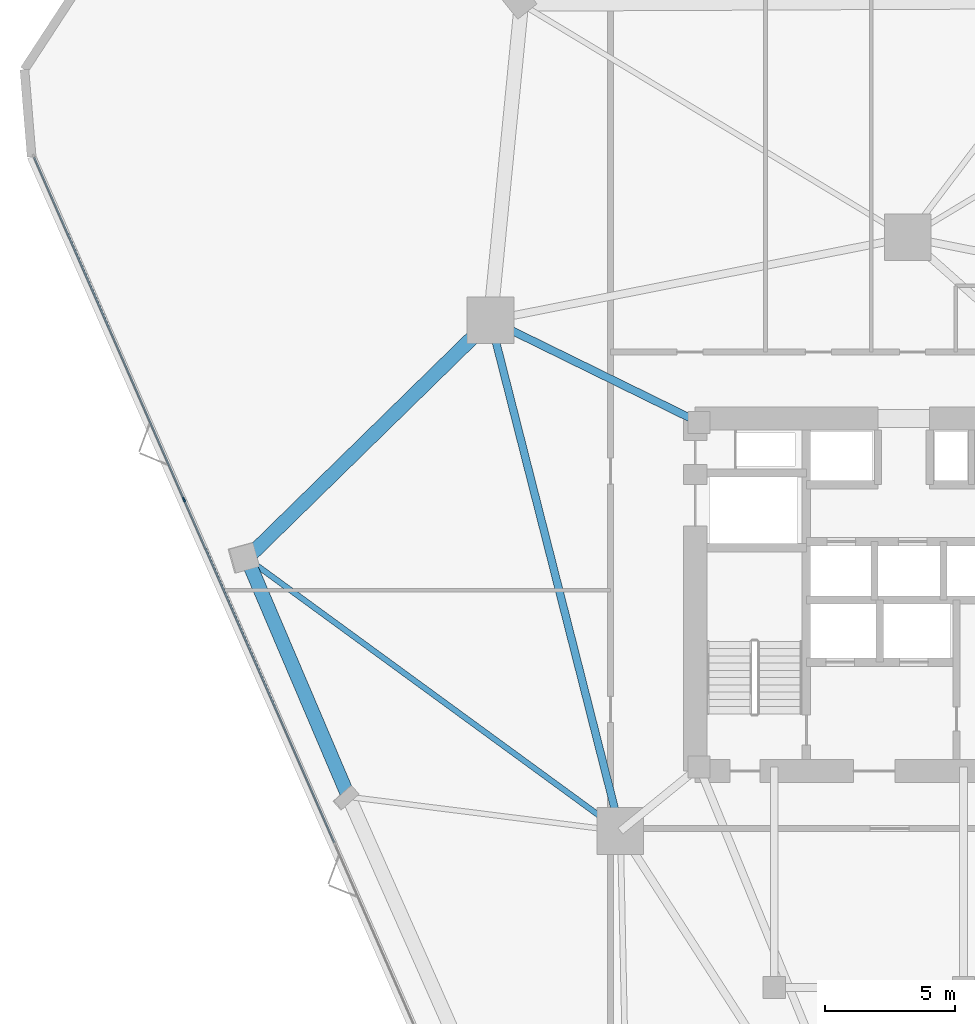
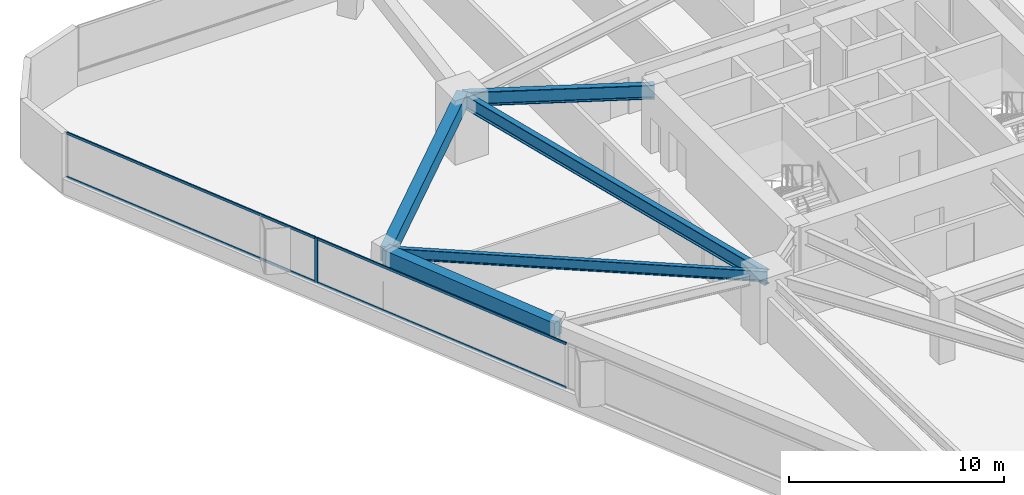
# One storey, part 7 of 20: 5 beams, 5 members, 1 element without a shape of its own.
"""IFC4 building model written with IfcOpenShell, lengths in metres."""

from ifc_helpers import new_model, si_unit, direction, frame, origin, origin_2d, place, context, subcontext, project, spatial, rectangle, i_section, extrude, material, layer, layer_set, material_profile, profile_set, type_object, element, aggregate, save


model = new_model("IFC4")

# Units and contexts
model_context = context("Model", 3, precision=1e-05, world=origin(), true_north=direction((0.0, 1.0)))
body_context = subcontext(model_context, "Body", "Model", "MODEL_VIEW")
ifc_project = project(units=[si_unit("LENGTHUNIT", "METRE"), si_unit("AREAUNIT", "SQUARE_METRE"), si_unit("VOLUMEUNIT", "CUBIC_METRE"), si_unit("PLANEANGLEUNIT", "RADIAN"), si_unit("MASSUNIT", "GRAM", prefix="KILO")], contexts=[model_context])

# Site, building, storey
site_placement = place(None, origin())
site = spatial("IfcSite", under=ifc_project, at=site_placement, CompositionType="ELEMENT")
building_placement = place(site_placement, origin())
building = spatial("IfcBuilding", under=site, at=building_placement, Name="Talyreon Biosciences Tower", CompositionType="ELEMENT")
storey_placement = place(building_placement, frame((0.0, 0.0, 41.050048828125)))
storey = spatial("IfcBuildingStorey", under=building, at=storey_placement, Name="L10", CompositionType="ELEMENT", Elevation=41.050048828125)

# Curtain wall, members
ifc_material_1 = material(Name="Thermally broken aluminium and low-E glazing", Category="aluminium")
ifc_layer = layer(ifc_material_1, 0.195068359375)
ifc_layer_set = layer_set([ifc_layer], Name="Thermally broken aluminium and low-E glazing")
curtain_wall_type = type_object("IfcCurtainWallType", Name="CurtainWall_Zone1WetLab", PredefinedType="NOTDEFINED", material=ifc_layer_set)
curtain_wall_placement = place(storey_placement, origin())
curtain_wall = element("IfcCurtainWall", 1, at=curtain_wall_placement, inside=storey, type_object=curtain_wall_type, Name="L10 Unitised Curtain Wall FCW-L10-00", PredefinedType="NOTDEFINED")
ifc_material_2 = material(Name="Anodised thermally broken aluminium", Category="aluminium")
ifc_material_profile_1 = material_profile(ifc_material_2, rectangle(XDim=0.06494140625, YDim=0.179931640625, at=origin_2d()), Name="ALUM MULLION 65x180")
ifc_profile_set_1 = profile_set([ifc_material_profile_1], Name="Anodised thermally broken aluminium")
member_type_1 = type_object("IfcMemberType", Name="CWMullion_65x180", PredefinedType="MULLION", material=ifc_profile_set_1)
member_1_placement = place(storey_placement, frame((38.0732421875, 71.6708984375, 0.81005859375), z_axis=(0.0, 0.0, 1.0), x_axis=(-0.915980408101, -0.401222995321, 0.0)))
member_1 = element("IfcMember", 2, at=member_1_placement, type_object=member_type_1, Name="CW2 mullion 5", PredefinedType="MULLION", context=body_context, shape_type="SweptSolid", body=[
    extrude(rectangle(XDim=0.06494140625, YDim=0.179931640625, at=origin_2d()), origin(), (0.0, 0.0, 1.0), 2.56494140625),
])
ifc_material_profile_2 = material_profile(ifc_material_2, rectangle(XDim=0.06494140625, YDim=0.139892578125, at=origin_2d()), Name="ALUM TRANSOM 65x140")
ifc_profile_set_2 = profile_set([ifc_material_profile_2], Name="Anodised thermally broken aluminium")
member_type_2 = type_object("IfcMemberType", Name="CWTransom_65x140", PredefinedType="USERDEFINED", material=ifc_profile_set_2)
member_2_placement = place(storey_placement, frame((43.869384765625, 58.4384765625, 0.842529296875), z_axis=(-0.401215094817, 0.915983868685, 0.0), x_axis=(-0.915983868685, -0.401215094817, 0.0)))
member_2 = element("IfcMember", 3, at=member_2_placement, type_object=member_type_2, Name="CW2 transom 4.1", ObjectType="TRANSOM", PredefinedType="USERDEFINED", context=body_context, shape_type="SweptSolid", body=[
    extrude(rectangle(XDim=0.06494140625, YDim=0.139892578125, at=origin_2d()), origin(), (0.0, 0.0, 1.0), 14.41357421875),
])
member_3_placement = place(storey_placement, frame((43.869384765625, 58.4384765625, 3.342529296875), z_axis=(-0.401215094817, 0.915983868685, 0.0), x_axis=(-0.915983868685, -0.401215094817, 0.0)))
member_3 = element("IfcMember", 4, at=member_3_placement, type_object=member_type_2, Name="CW2 transom 4.2", ObjectType="TRANSOM", PredefinedType="USERDEFINED", context=body_context, shape_type="SweptSolid", body=[
    extrude(rectangle(XDim=0.06494140625, YDim=0.139892578125, at=origin_2d()), origin(), (0.0, 0.0, 1.0), 14.41357421875),
])
member_4_placement = place(storey_placement, frame((38.060302734375, 71.70068359375, 0.842529296875), z_axis=(-0.401215092974, 0.915983869492, 0.0), x_axis=(-0.915983869492, -0.401215092974, 0.0)))
member_4 = element("IfcMember", 5, at=member_4_placement, type_object=member_type_2, Name="CW2 transom 5.1", ObjectType="TRANSOM", PredefinedType="USERDEFINED", context=body_context, shape_type="SweptSolid", body=[
    extrude(rectangle(XDim=0.06494140625, YDim=0.139892578125, at=origin_2d()), origin(), (0.0, 0.0, 1.0), 14.38134765625),
])
member_5_placement = place(storey_placement, frame((38.060302734375, 71.70068359375, 3.342529296875), z_axis=(-0.401215092974, 0.915983869492, 0.0), x_axis=(-0.915983869492, -0.401215092974, 0.0)))
member_5 = element("IfcMember", 6, at=member_5_placement, type_object=member_type_2, Name="CW2 transom 5.2", ObjectType="TRANSOM", PredefinedType="USERDEFINED", context=body_context, shape_type="SweptSolid", body=[
    extrude(rectangle(XDim=0.06494140625, YDim=0.139892578125, at=origin_2d()), origin(), (0.0, 0.0, 1.0), 14.38134765625),
])
aggregate(curtain_wall, [member_1, member_2, member_3, member_4, member_5])

# Beams
ifc_material_3 = material(Name="Precast concrete C45/55", Category="concrete")
ifc_material_profile_3 = material_profile(ifc_material_3, rectangle(XDim=0.550048828125, YDim=0.85009765625, at=origin_2d()), Name="RCB 550x850")
ifc_profile_set_3 = profile_set([ifc_material_profile_3], Name="Precast concrete C45/55")
beam_type_1 = type_object("IfcBeamType", Name="ExpressedSpandrel_550x850", PredefinedType="SPANDREL", material=ifc_profile_set_3)
beam_1_placement = place(storey_placement, frame((49.897705078125, 78.5986328125, 2.949951171875), z_axis=(-0.714818484381, -0.699310041674, 0.0), x_axis=(0.699310041674, -0.714818484381, 0.0)))
element("IfcBeam", 7, at=beam_1_placement, inside=storey, type_object=beam_type_1, Name="L10 Expressed Horizontal Concrete Spandrel 09", PredefinedType="SPANDREL", context=body_context, shape_type="SweptSolid", body=[
    extrude(rectangle(XDim=0.550048828125, YDim=0.85009765625, at=origin_2d()), origin(), (0.0, 0.0, 1.0), 13.14501953125),
])
beam_2_placement = place(storey_placement, frame((40.50146484375, 69.40625, 2.949951171875), z_axis=(0.391966088453, -0.919979665809, 0.0), x_axis=(0.919979665809, 0.391966088453, 0.0)))
element("IfcBeam", 8, at=beam_2_placement, inside=storey, type_object=beam_type_1, Name="L10 Expressed Horizontal Concrete Spandrel 10", PredefinedType="SPANDREL", context=body_context, shape_type="SweptSolid", body=[
    extrude(rectangle(XDim=0.550048828125, YDim=0.85009765625, at=origin_2d()), origin(), (0.0, 0.0, 1.0), 10.00634765625),
])
ifc_material_4 = material(Name="Steel SM355", Category="steel")
ifc_material_profile_4 = material_profile(ifc_material_4, i_section(OverallWidth=0.300048828125, OverallDepth=0.800048828125, WebThickness=0.017578125, FlangeThickness=0.032958984375, FilletRadius=0.030029296875, at=origin_2d()), Name="HE800B")
ifc_profile_set_4 = profile_set([ifc_material_profile_4], Name="Steel SM355")
beam_type_2 = type_object("IfcBeamType", Name="SteelGirder_HE800B", PredefinedType="BEAM", material=ifc_profile_set_4)
beam_3_placement = place(storey_placement, frame((49.897705078125, 78.5986328125, 2.974853515625), z_axis=(0.246537082299, -0.969133358755, 0.0), x_axis=(0.969133358755, 0.246537082299, 0.0)))
element("IfcBeam", 9, at=beam_3_placement, inside=storey, type_object=beam_type_2, Name="L10 Mega-Ring Girder 5", PredefinedType="BEAM", context=body_context, shape_type="SweptSolid", body=[
    extrude(i_section(OverallWidth=0.300048828125, OverallDepth=0.800048828125, WebThickness=0.017578125, FlangeThickness=0.032958984375, FilletRadius=0.030029296875, at=origin_2d()), origin(), (0.0, 0.0, 1.0), 20.34619140625),
])
beam_4_placement = place(storey_placement, frame((57.949951171875, 74.64990234375, 2.974853515625), z_axis=(-0.897852360314, 0.440296648952, 0.0), x_axis=(-0.440296648952, -0.897852360314, 0.0)))
element("IfcBeam", 10, at=beam_4_placement, inside=storey, type_object=beam_type_2, Name="L10 Radial Primary Girder 5", PredefinedType="BEAM", context=body_context, shape_type="SweptSolid", body=[
    extrude(i_section(OverallWidth=0.300048828125, OverallDepth=0.800048828125, WebThickness=0.017578125, FlangeThickness=0.032958984375, FilletRadius=0.030029296875, at=origin_2d()), origin(), (0.0, 0.0, 1.0), 8.96826171875),
])
ifc_material_profile_5 = material_profile(ifc_material_4, i_section(OverallWidth=0.219970703125, OverallDepth=0.60009765625, WebThickness=0.011962890625, FlangeThickness=0.01904296875, FilletRadius=0.02392578125, at=origin_2d()), Name="IPE600")
ifc_profile_set_5 = profile_set([ifc_material_profile_5], Name="Steel SM355")
beam_type_3 = type_object("IfcBeamType", Name="SteelJoist_IPE600", PredefinedType="JOIST", material=ifc_profile_set_5)
beam_5_placement = place(storey_placement, frame((54.913818359375, 58.88037109375, 3.074951171875), z_axis=(-0.807557265679, 0.589789167965, 0.0), x_axis=(-0.589789167965, -0.807557265679, 0.0)))
element("IfcBeam", 11, at=beam_5_placement, inside=storey, type_object=beam_type_3, Name="L10 Radial Composite Floor Joist PC-SW1", PredefinedType="JOIST", context=body_context, shape_type="SweptSolid", body=[
    extrude(i_section(OverallWidth=0.219970703125, OverallDepth=0.60009765625, WebThickness=0.011962890625, FlangeThickness=0.01904296875, FilletRadius=0.02392578125, at=origin_2d()), origin(), (0.0, 0.0, 1.0), 17.846923828125),
])

save(model, "model.ifc")
